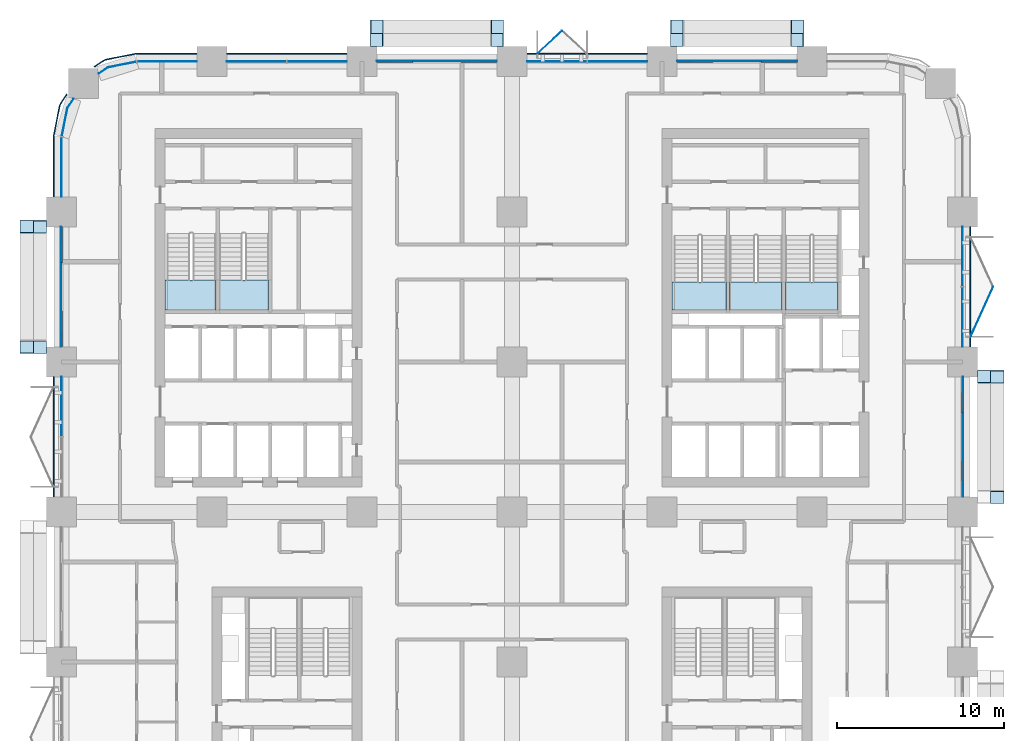
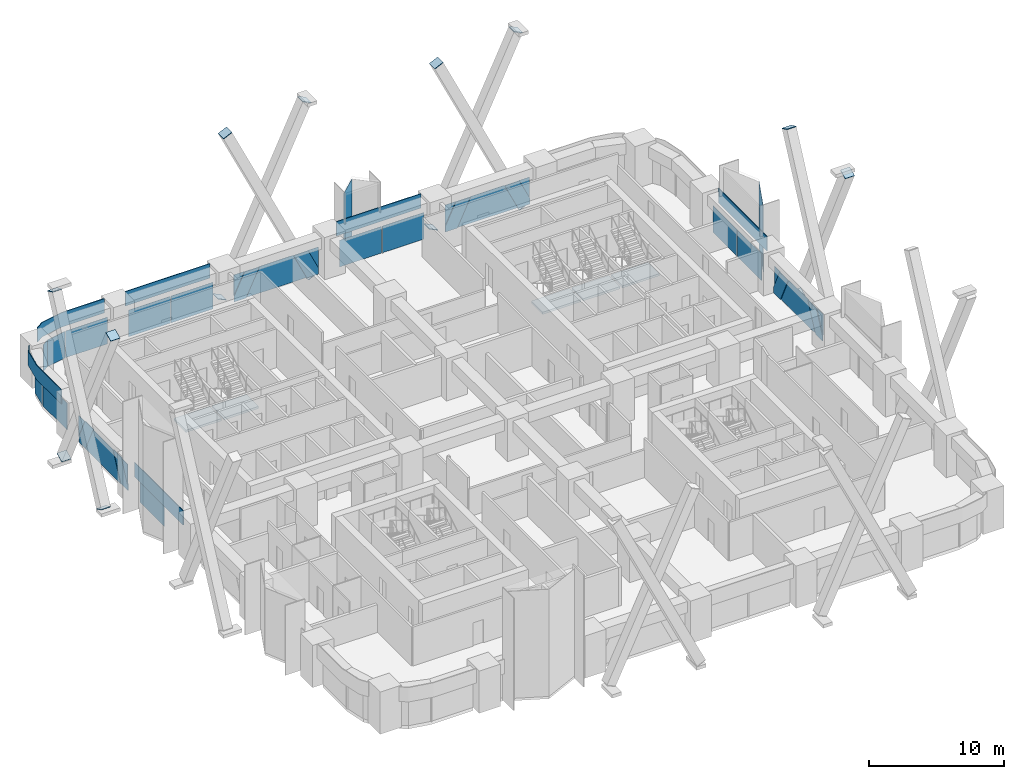
# One storey, part 12 of 23: 54 plates, 5 slabs, 15 elements without a shape of their own.
"""IFC4 building model written with IfcOpenShell, lengths in metres."""

from ifc_helpers import new_model, si_unit, direction, frame, origin, origin_2d, place, context, subcontext, project, spatial, polyline, rectangle, outline, extrude, material, layer, layer_set, type_object, element, aggregate, save


model = new_model("IFC4")

# Units and contexts
model_context = context("Model", 3, precision=1e-05, world=origin(), true_north=direction((0.0, 1.0)))
body_context = subcontext(model_context, "Body", "Model", "MODEL_VIEW")
ifc_project = project(units=[si_unit("LENGTHUNIT", "METRE"), si_unit("AREAUNIT", "SQUARE_METRE"), si_unit("VOLUMEUNIT", "CUBIC_METRE"), si_unit("PLANEANGLEUNIT", "RADIAN"), si_unit("MASSUNIT", "GRAM", prefix="KILO")], contexts=[model_context])

# Site, building, storey
site_placement = place(None, origin())
site = spatial("IfcSite", under=ifc_project, at=site_placement, CompositionType="ELEMENT")
building_placement = place(site_placement, origin())
building = spatial("IfcBuilding", under=site, at=building_placement, Name="Tessera Arch", CompositionType="ELEMENT")
storey_placement = place(building_placement, frame((0.0, 0.0, 46.199951171875)))
storey = spatial("IfcBuildingStorey", under=building, at=storey_placement, Name="L09", CompositionType="ELEMENT", Elevation=46.199951171875)

# Curtain wall, plates
ifc_material_1 = material(Name="CW1 curtain wall")
curtain_wall_type_1 = type_object("IfcCurtainWallType", Name="CW1 curtain wall", PredefinedType="NOTDEFINED", material=ifc_material_1)
curtain_wall_1_placement = place(storey_placement, origin())
curtain_wall_1 = element("IfcCurtainWall", 1, at=curtain_wall_1_placement, inside=storey, type_object=curtain_wall_type_1, Name="CW1 curtain wall E54.0/4 L09", PredefinedType="NOTDEFINED")
ifc_material_2 = material(Name="Clear low-e glass", Category="glass")
ifc_material_3 = material(Name="Clear low-e glass", Category="glass")
ifc_layer_1 = layer(ifc_material_3, 0.028076171875)
ifc_layer_set_1 = layer_set([ifc_layer_1], Name="CW1 glass panel")
plate_type_1 = type_object("IfcPlateType", Name="CW1 glass panel", PredefinedType="CURTAIN_PANEL", material=ifc_layer_set_1)
plate_1_placement = place(storey_placement, frame((54.0, 38.68505859375, 0.0), z_axis=(0.0, 0.0, 1.0), x_axis=(0.0, 1.0, 0.0)))
plate_1 = element("IfcPlate", 2, at=plate_1_placement, type_object=plate_type_1, material=ifc_material_2, Name="CW1 glass panel E54.0/4 1.1.1", PredefinedType="CURTAIN_PANEL", context=body_context, shape_type="SweptSolid", body=[
    extrude(rectangle(XDim=3.570068359375, YDim=0.028076171875, at=origin_2d()), origin(), (0.0, 0.0, 1.0), 2.39990234375),
])
plate_2_placement = place(storey_placement, frame((54.0, 42.31494140625, 0.0), z_axis=(0.0, 0.0, 1.0), x_axis=(0.0, 1.0, 0.0)))
plate_2 = element("IfcPlate", 3, at=plate_2_placement, type_object=plate_type_1, material=ifc_material_2, Name="CW1 glass panel E54.0/4 1.2.1", PredefinedType="CURTAIN_PANEL", context=body_context, shape_type="SweptSolid", body=[
    extrude(rectangle(XDim=3.570068359375, YDim=0.028076171875, at=origin_2d()), origin(), (0.0, 0.0, 1.0), 2.39990234375),
])

curtain_wall_2_placement = place(storey_placement, origin())
curtain_wall_2 = element("IfcCurtainWall", 4, at=curtain_wall_2_placement, inside=storey, type_object=curtain_wall_type_1, Name="CW1 curtain wall N54.0/2 L09", PredefinedType="NOTDEFINED")
plate_3_placement = place(storey_placement, frame((33.31494140625, 54.0, 0.0), z_axis=(0.0, 0.0, 1.0), x_axis=(-1.0, 0.0, 0.0)))
plate_3 = element("IfcPlate", 5, at=plate_3_placement, type_object=plate_type_1, material=ifc_material_2, Name="CW1 glass panel N54.0/2 1.1.1", PredefinedType="CURTAIN_PANEL", context=body_context, shape_type="SweptSolid", body=[
    extrude(rectangle(XDim=3.570068359375, YDim=0.028076171875, at=origin_2d()), origin(), (0.0, 0.0, 1.0), 2.39990234375),
])
plate_4_placement = place(storey_placement, frame((29.68505859375, 54.0, 0.0), z_axis=(0.0, 0.0, 1.0), x_axis=(-1.0, 0.0, 0.0)))
plate_4 = element("IfcPlate", 6, at=plate_4_placement, type_object=plate_type_1, material=ifc_material_2, Name="CW1 glass panel N54.0/2 1.2.1", PredefinedType="CURTAIN_PANEL", context=body_context, shape_type="SweptSolid", body=[
    extrude(rectangle(XDim=3.570068359375, YDim=0.028076171875, at=origin_2d()), origin(), (0.0, 0.0, 1.0), 2.39990234375),
])

curtain_wall_3_placement = place(storey_placement, origin())
curtain_wall_3 = element("IfcCurtainWall", 7, at=curtain_wall_3_placement, inside=storey, type_object=curtain_wall_type_1, Name="CW1 curtain wall N54.0/4 L09", PredefinedType="NOTDEFINED")
plate_5_placement = place(storey_placement, frame((15.31494140625, 54.0, 0.0), z_axis=(0.0, 0.0, 1.0), x_axis=(-1.0, 0.0, 0.0)))
plate_5 = element("IfcPlate", 8, at=plate_5_placement, type_object=plate_type_1, material=ifc_material_2, Name="CW1 glass panel N54.0/4 1.1.1", PredefinedType="CURTAIN_PANEL", context=body_context, shape_type="SweptSolid", body=[
    extrude(rectangle(XDim=3.570068359375, YDim=0.028076171875, at=origin_2d()), origin(), (0.0, 0.0, 1.0), 2.39990234375),
])
plate_6_placement = place(storey_placement, frame((11.68505859375, 54.0, 0.0), z_axis=(0.0, 0.0, 1.0), x_axis=(-1.0, 0.0, 0.0)))
plate_6 = element("IfcPlate", 9, at=plate_6_placement, type_object=plate_type_1, material=ifc_material_2, Name="CW1 glass panel N54.0/4 1.2.1", PredefinedType="CURTAIN_PANEL", context=body_context, shape_type="SweptSolid", body=[
    extrude(rectangle(XDim=3.570068359375, YDim=0.028076171875, at=origin_2d()), origin(), (0.0, 0.0, 1.0), 2.39990234375),
])

# Curtain wall, plate
curtain_wall_4_placement = place(storey_placement, origin())
curtain_wall_4 = element("IfcCurtainWall", 10, at=curtain_wall_4_placement, inside=storey, type_object=curtain_wall_type_1, Name="CW1 curtain wall W0.0/2 L09", PredefinedType="NOTDEFINED")
plate_7_placement = place(storey_placement, frame((0.0, 33.31494140625, 0.0), z_axis=(0.0, 0.0, 1.0), x_axis=(0.0, -1.0, 0.0)))
plate_7 = element("IfcPlate", 11, at=plate_7_placement, type_object=plate_type_1, material=ifc_material_2, Name="CW1 glass panel W0.0/2 1.1.1", PredefinedType="CURTAIN_PANEL", context=body_context, shape_type="SweptSolid", body=[
    extrude(rectangle(XDim=3.570068359375, YDim=0.028076171875, at=origin_2d()), origin(), (0.0, 0.0, 1.0), 2.39990234375),
])

# Plate
ifc_material_4 = material(Name="Pale anodised aluminium panel", Category="aluminium")
ifc_layer_2 = layer(ifc_material_4, 0.06005859375)
ifc_layer_set_2 = layer_set([ifc_layer_2], Name="CW1 spandrel panel")
plate_type_2 = type_object("IfcPlateType", Name="CW1 spandrel panel", PredefinedType="CURTAIN_PANEL", material=ifc_layer_set_2)
plate_8_placement = place(storey_placement, frame((54.47998046875, 40.5, 2.5), z_axis=(0.0, 0.0, 1.0), x_axis=(0.0, 1.0, 0.0)))
plate_8 = element("IfcPlate", 12, at=plate_8_placement, type_object=plate_type_2, Name="CW1 spandrel panel E54.0/4", PredefinedType="CURTAIN_PANEL", context=body_context, shape_type="SweptSolid", body=[
    extrude(rectangle(XDim=7.199951171875, YDim=0.06005859375, at=origin_2d()), origin(), (0.0, 0.0, 1.0), 1.300048828125),
])

aggregate(curtain_wall_1, [plate_1, plate_2, plate_8])

plate_9_placement = place(storey_placement, frame((31.5, 54.47998046875, 2.5), z_axis=(0.0, 0.0, 1.0), x_axis=(-1.0, 0.0, 0.0)))
plate_9 = element("IfcPlate", 13, at=plate_9_placement, type_object=plate_type_2, Name="CW1 spandrel panel N54.0/2", PredefinedType="CURTAIN_PANEL", context=body_context, shape_type="SweptSolid", body=[
    extrude(rectangle(XDim=7.199951171875, YDim=0.06005859375, at=origin_2d()), origin(), (0.0, 0.0, 1.0), 1.300048828125),
])

aggregate(curtain_wall_2, [plate_3, plate_4, plate_9])

plate_10_placement = place(storey_placement, frame((13.5, 54.47998046875, 2.5), z_axis=(0.0, 0.0, 1.0), x_axis=(-1.0, 0.0, 0.0)))
plate_10 = element("IfcPlate", 14, at=plate_10_placement, type_object=plate_type_2, Name="CW1 spandrel panel N54.0/4", PredefinedType="CURTAIN_PANEL", context=body_context, shape_type="SweptSolid", body=[
    extrude(rectangle(XDim=7.199951171875, YDim=0.06005859375, at=origin_2d()), origin(), (0.0, 0.0, 1.0), 1.300048828125),
])

aggregate(curtain_wall_3, [plate_5, plate_6, plate_10])

plate_11_placement = place(storey_placement, frame((-0.47998046875, 31.5, 2.5), z_axis=(0.0, 0.0, 1.0), x_axis=(0.0, -1.0, 0.0)))
plate_11 = element("IfcPlate", 15, at=plate_11_placement, type_object=plate_type_2, Name="CW1 spandrel panel W0.0/2", PredefinedType="CURTAIN_PANEL", context=body_context, shape_type="SweptSolid", body=[
    extrude(rectangle(XDim=7.199951171875, YDim=0.06005859375, at=origin_2d()), origin(), (0.0, 0.0, 1.0), 1.300048828125),
])

aggregate(curtain_wall_4, [plate_7, plate_11])

# Curtain wall, plates
ifc_material_5 = material(Name="CW2 curtain wall")
curtain_wall_type_2 = type_object("IfcCurtainWallType", Name="CW2 curtain wall", PredefinedType="NOTDEFINED", material=ifc_material_5)
curtain_wall_5_placement = place(storey_placement, origin())
curtain_wall_5 = element("IfcCurtainWall", 16, at=curtain_wall_5_placement, inside=storey, type_object=curtain_wall_type_2, Name="CW2 curtain wall N54.0/5 L09", PredefinedType="NOTDEFINED")
ifc_material_6 = material(Name="Clear low-e glass", Category="glass")
ifc_layer_3 = layer(ifc_material_6, 0.028076171875)
ifc_layer_set_3 = layer_set([ifc_layer_3], Name="CW2 glass panel")
plate_type_3 = type_object("IfcPlateType", Name="CW2 glass panel", PredefinedType="CURTAIN_PANEL", material=ifc_layer_set_3)
plate_12_placement = place(storey_placement, frame((6.320068359375, 54.0, 0.0), z_axis=(0.0, 0.0, 1.0), x_axis=(-1.0, 0.0, 0.0)))
plate_12 = element("IfcPlate", 17, at=plate_12_placement, type_object=plate_type_3, material=ifc_material_2, Name="CW2 glass panel N54.0/5 1.1", PredefinedType="CURTAIN_PANEL", context=body_context, shape_type="SweptSolid", body=[
    extrude(rectangle(XDim=3.56005859375, YDim=0.028076171875, at=origin_2d()), origin(), (0.0, 0.0, 1.0), 2.39990234375),
])
plate_13_placement = place(storey_placement, origin())
plate_13 = element("IfcPlate", 18, at=plate_13_placement, type_object=plate_type_3, material=ifc_material_2, Name="CW2 curved glass panel N54.0/5 2.1", PredefinedType="CURTAIN_PANEL", context=body_context, shape_type="SweptSolid", body=[
    extrude(outline(polyline([(2.783447265625, 53.644287109375), (4.46337890625, 53.978515625), (4.4580078125, 54.005859375), (2.7724609375, 53.670654296875), (2.210205078125, 53.294921875), (2.225830078125, 53.271728515625), (2.783447265625, 53.644287109375)])), origin(), (0.0, 0.0, 1.0), 2.400146484375),
])

curtain_wall_6_placement = place(storey_placement, origin())
curtain_wall_6 = element("IfcCurtainWall", 19, at=curtain_wall_6_placement, inside=storey, type_object=curtain_wall_type_2, Name="CW2 curtain wall W0.0/0 L09", PredefinedType="NOTDEFINED")
plate_14_placement = place(storey_placement, frame((0.0, 47.679931640625, 0.0), z_axis=(0.0, 0.0, 1.0), x_axis=(0.0, -1.0, 0.0)))
plate_14 = element("IfcPlate", 20, at=plate_14_placement, type_object=plate_type_3, material=ifc_material_2, Name="CW2 glass panel W0.0/0 1.1", PredefinedType="CURTAIN_PANEL", context=body_context, shape_type="SweptSolid", body=[
    extrude(rectangle(XDim=3.56005859375, YDim=0.028076171875, at=origin_2d()), origin(), (0.0, 0.0, 1.0), 2.39990234375),
])
plate_15_placement = place(storey_placement, origin())
plate_15 = element("IfcPlate", 21, at=plate_15_placement, type_object=plate_type_3, material=ifc_material_2, Name="CW2 curved glass panel W0.0/0 2.1", PredefinedType="CURTAIN_PANEL", context=body_context, shape_type="SweptSolid", body=[
    extrude(outline(polyline([(0.355712890625, 51.216552734375), (0.728271484375, 51.774169921875), (0.705078125, 51.789794921875), (0.329345703125, 51.2275390625), (-0.005859375, 49.5419921875), (0.021484375, 49.53662109375), (0.355712890625, 51.216552734375)])), origin(), (0.0, 0.0, 1.0), 2.400146484375),
])

# Plate
ifc_material_7 = material(Name="Pale anodised aluminium panel", Category="aluminium")
ifc_layer_4 = layer(ifc_material_7, 0.06005859375)
ifc_layer_set_4 = layer_set([ifc_layer_4], Name="CW2 spandrel panel")
plate_type_4 = type_object("IfcPlateType", Name="CW2 spandrel panel", PredefinedType="CURTAIN_PANEL", material=ifc_layer_set_4)
plate_16_placement = place(storey_placement, frame((0.0, 0.0, 2.5)))
plate_16 = element("IfcPlate", 22, at=plate_16_placement, type_object=plate_type_4, Name="CW2 spandrel panel N54.0/5", PredefinedType="CURTAIN_PANEL", context=body_context, shape_type="SweptSolid", body=[
    extrude(outline(polyline([(4.500732421875, 54.449951171875), (8.10009765625, 54.449951171875), (8.10009765625, 54.510009765625), (4.499267578125, 54.510009765625), (4.449951171875, 54.507568359375), (4.401123046875, 54.500244140625), (2.677734375, 54.157470703125), (2.6298828125, 54.1455078125), (2.582763671875, 54.128662109375), (2.537353515625, 54.107177734375), (2.4951171875, 54.08203125), (1.9345703125, 53.707275390625), (1.968017578125, 53.657470703125), (2.52734375, 54.03125), (2.565673828125, 54.05419921875), (2.605712890625, 54.0732421875), (2.647216796875, 54.088134765625), (2.69091796875, 54.09912109375), (4.411376953125, 54.441162109375), (4.455810546875, 54.44775390625), (4.500732421875, 54.449951171875)])), origin(), (0.0, 0.0, 1.0), 1.300048828125),
])

aggregate(curtain_wall_5, [plate_12, plate_13, plate_16])

plate_17_placement = place(storey_placement, frame((0.0, 0.0, 2.5)))
plate_17 = element("IfcPlate", 23, at=plate_17_placement, type_object=plate_type_4, Name="CW2 spandrel panel W0.0/0", PredefinedType="CURTAIN_PANEL", context=body_context, shape_type="SweptSolid", body=[
    extrude(outline(polyline([(-0.03125, 51.47265625), (0.342529296875, 52.031982421875), (0.292724609375, 52.0654296875), (-0.08203125, 51.5048828125), (-0.107177734375, 51.462646484375), (-0.128662109375, 51.417236328125), (-0.1455078125, 51.3701171875), (-0.157470703125, 51.322265625), (-0.500244140625, 49.598876953125), (-0.507568359375, 49.550048828125), (-0.510009765625, 49.500732421875), (-0.510009765625, 45.89990234375), (-0.449951171875, 45.89990234375), (-0.449951171875, 49.499267578125), (-0.44775390625, 49.544189453125), (-0.441162109375, 49.588623046875), (-0.09912109375, 51.30908203125), (-0.088134765625, 51.352783203125), (-0.0732421875, 51.394287109375), (-0.05419921875, 51.434326171875), (-0.03125, 51.47265625)])), origin(), (0.0, 0.0, 1.0), 1.300048828125),
])

aggregate(curtain_wall_6, [plate_14, plate_15, plate_17])

# Curtain wall, plates
ifc_material_8 = material(Name="CW3 curtain wall")
curtain_wall_type_3 = type_object("IfcCurtainWallType", Name="CW3 curtain wall", PredefinedType="NOTDEFINED", material=ifc_material_8)
curtain_wall_7_placement = place(storey_placement, origin())
curtain_wall_7 = element("IfcCurtainWall", 24, at=curtain_wall_7_placement, inside=storey, type_object=curtain_wall_type_3, Name="CW3 curtain wall E54.0/3 L09", PredefinedType="NOTDEFINED")
ifc_material_9 = material(Name="Pale anodised aluminium panel", Category="aluminium")
ifc_layer_5 = layer(ifc_material_9, 0.06005859375)
ifc_layer_set_5 = layer_set([ifc_layer_5], Name="CW3 diagonal panel")
plate_type_5 = type_object("IfcPlateType", Name="CW3 diagonal panel", PredefinedType="CURTAIN_PANEL", material=ifc_layer_set_5)
plate_18_placement = place(storey_placement, frame((54.030029296875, 35.10009765625, 0.0), z_axis=(1.0, 0.0, 0.0), x_axis=(0.0, 0.0, 1.0)))
plate_18 = element("IfcPlate", 25, at=plate_18_placement, type_object=plate_type_5, Name="CW3 diagonal panel E54.0/3 1", PredefinedType="CURTAIN_PANEL", context=body_context, shape_type="SweptSolid", body=[
    extrude(outline(polyline([(0.0, 0.0), (0.52685546875, 0.0), (2.400146484375, 0.887451171875), (2.400146484375, 2.144287109375), (0.0, 1.007568359375), (0.0, 0.0)])), origin(), (0.0, 0.0, -1.0), 0.06005859375),
])
plate_19_placement = place(storey_placement, frame((54.030029296875, 30.044189453125, 2.400146484375), z_axis=(1.0, 0.0, 0.0), x_axis=(0.0, -1.0, 0.0)))
plate_19 = element("IfcPlate", 26, at=plate_19_placement, type_object=plate_type_5, Name="CW3 diagonal panel E54.0/3 2", PredefinedType="CURTAIN_PANEL", context=body_context, shape_type="SweptSolid", body=[
    extrude(outline(polyline([(0.0, 0.0), (1.2568359375, 0.0), (2.144287109375, 1.873291015625), (2.144287109375, 2.400146484375), (1.13671875, 2.400146484375), (0.0, 0.0)])), origin(), (0.0, 0.0, -1.0), 0.06005859375),
])

curtain_wall_8_placement = place(storey_placement, origin())
curtain_wall_8 = element("IfcCurtainWall", 27, at=curtain_wall_8_placement, inside=storey, type_object=curtain_wall_type_3, Name="CW3 curtain wall N54.0/1 L09", PredefinedType="NOTDEFINED")
plate_20_placement = place(storey_placement, frame((36.89990234375, 54.030029296875, 0.0), z_axis=(0.0, 1.0, 0.0), x_axis=(0.0, 0.0, 1.0)))
plate_20 = element("IfcPlate", 28, at=plate_20_placement, type_object=plate_type_5, Name="CW3 diagonal panel N54.0/1 1", PredefinedType="CURTAIN_PANEL", context=body_context, shape_type="SweptSolid", body=[
    extrude(outline(polyline([(0.0, 0.0), (0.52685546875, 0.0), (2.400146484375, 0.887451171875), (2.400146484375, 2.144287109375), (0.0, 1.007568359375), (0.0, 0.0)])), origin(), (0.0, 0.0, -1.0), 0.06005859375),
])
plate_21_placement = place(storey_placement, frame((41.955810546875, 54.030029296875, 2.400146484375), z_axis=(0.0, 1.0, 0.0), x_axis=(1.0, 0.0, 0.0)))
plate_21 = element("IfcPlate", 29, at=plate_21_placement, type_object=plate_type_5, Name="CW3 diagonal panel N54.0/1 2", PredefinedType="CURTAIN_PANEL", context=body_context, shape_type="SweptSolid", body=[
    extrude(outline(polyline([(0.0, 0.0), (1.2568359375, 0.0), (2.144287109375, 1.873291015625), (2.144287109375, 2.400146484375), (1.13671875, 2.400146484375), (0.0, 0.0)])), origin(), (0.0, 0.0, -1.0), 0.06005859375),
])

curtain_wall_9_placement = place(storey_placement, origin())
curtain_wall_9 = element("IfcCurtainWall", 30, at=curtain_wall_9_placement, inside=storey, type_object=curtain_wall_type_3, Name="CW3 curtain wall N54.0/3 L09", PredefinedType="NOTDEFINED")
plate_22_placement = place(storey_placement, frame((18.89990234375, 54.030029296875, 0.0), z_axis=(0.0, 1.0, 0.0), x_axis=(0.0, 0.0, 1.0)))
plate_22 = element("IfcPlate", 31, at=plate_22_placement, type_object=plate_type_5, Name="CW3 diagonal panel N54.0/3 1", PredefinedType="CURTAIN_PANEL", context=body_context, shape_type="SweptSolid", body=[
    extrude(outline(polyline([(0.0, 0.0), (0.52685546875, 0.0), (2.400146484375, 0.887451171875), (2.400146484375, 2.144287109375), (0.0, 1.007568359375), (0.0, 0.0)])), origin(), (0.0, 0.0, -1.0), 0.06005859375),
])
plate_23_placement = place(storey_placement, frame((23.955810546875, 54.030029296875, 2.400146484375), z_axis=(0.0, 1.0, 0.0), x_axis=(1.0, 0.0, 0.0)))
plate_23 = element("IfcPlate", 32, at=plate_23_placement, type_object=plate_type_5, Name="CW3 diagonal panel N54.0/3 2", PredefinedType="CURTAIN_PANEL", context=body_context, shape_type="SweptSolid", body=[
    extrude(outline(polyline([(0.0, 0.0), (1.2568359375, 0.0), (2.144287109375, 1.873291015625), (2.144287109375, 2.400146484375), (1.13671875, 2.400146484375), (0.0, 0.0)])), origin(), (0.0, 0.0, -1.0), 0.06005859375),
])

curtain_wall_10_placement = place(storey_placement, origin())
curtain_wall_10 = element("IfcCurtainWall", 33, at=curtain_wall_10_placement, inside=storey, type_object=curtain_wall_type_3, Name="CW3 curtain wall W0.0/1 L09", PredefinedType="NOTDEFINED")
plate_24_placement = place(storey_placement, frame((-0.030029296875, 36.89990234375, 0.0), z_axis=(-1.0, 0.0, 0.0), x_axis=(0.0, 0.0, 1.0)))
plate_24 = element("IfcPlate", 34, at=plate_24_placement, type_object=plate_type_5, Name="CW3 diagonal panel W0.0/1 1", PredefinedType="CURTAIN_PANEL", context=body_context, shape_type="SweptSolid", body=[
    extrude(outline(polyline([(0.0, 0.0), (0.52685546875, 0.0), (2.400146484375, 0.887451171875), (2.400146484375, 2.144287109375), (0.0, 1.007568359375), (0.0, 0.0)])), origin(), (0.0, 0.0, -1.0), 0.06005859375),
])
plate_25_placement = place(storey_placement, frame((-0.030029296875, 41.955810546875, 2.400146484375), z_axis=(-1.0, 0.0, 0.0), x_axis=(0.0, 1.0, 0.0)))
plate_25 = element("IfcPlate", 35, at=plate_25_placement, type_object=plate_type_5, Name="CW3 diagonal panel W0.0/1 2", PredefinedType="CURTAIN_PANEL", context=body_context, shape_type="SweptSolid", body=[
    extrude(outline(polyline([(0.0, 0.0), (1.2568359375, 0.0), (2.144287109375, 1.873291015625), (2.144287109375, 2.400146484375), (1.13671875, 2.400146484375), (0.0, 0.0)])), origin(), (0.0, 0.0, -1.0), 0.06005859375),
])

# Plate
ifc_material_10 = material(Name="Clear low-e glass", Category="glass")
ifc_layer_6 = layer(ifc_material_10, 0.028076171875)
ifc_layer_set_6 = layer_set([ifc_layer_6], Name="CW3 glass panel")
plate_type_6 = type_object("IfcPlateType", Name="CW3 glass panel", PredefinedType="CURTAIN_PANEL", material=ifc_layer_set_6)
plate_26_placement = place(storey_placement, frame((54.05810546875, 27.89990234375, 2.400146484375), z_axis=(1.0, 0.0, 0.0), x_axis=(0.0, 0.0, -1.0)))
plate_26 = element("IfcPlate", 36, at=plate_26_placement, type_object=plate_type_6, material=ifc_material_2, Name="CW3 triangulated glass panel E54.0/3 1", PredefinedType="CURTAIN_PANEL", context=body_context, shape_type="SweptSolid", body=[
    extrude(outline(polyline([(0.0, 0.0), (1.873291015625, 0.0), (0.0, 0.887451171875), (0.0, 0.0)])), origin(), (0.0, 0.0, -1.0), 0.028076171875),
])

plate_27_placement = place(storey_placement, frame((54.05810546875, 32.955810546875, 2.400146484375), z_axis=(1.0, 0.0, 0.0), x_axis=(0.0, -1.0, 0.0)))
plate_27 = element("IfcPlate", 37, at=plate_27_placement, type_object=plate_type_6, material=ifc_material_2, Name="CW3 triangulated glass panel E54.0/3 2", PredefinedType="CURTAIN_PANEL", context=body_context, shape_type="SweptSolid", body=[
    extrude(outline(polyline([(0.0, 0.0), (2.91162109375, 0.0), (4.04833984375, 2.400146484375), (-1.13671875, 2.400146484375), (0.0, 0.0)])), origin(), (0.0, 0.0, -1.0), 0.028076171875),
])

plate_28_placement = place(storey_placement, frame((54.05810546875, 35.10009765625, 2.400146484375), z_axis=(1.0, 0.0, 0.0), x_axis=(0.0, -1.0, 0.0)))
plate_28 = element("IfcPlate", 38, at=plate_28_placement, type_object=plate_type_6, material=ifc_material_2, Name="CW3 triangulated glass panel E54.0/3 3", PredefinedType="CURTAIN_PANEL", context=body_context, shape_type="SweptSolid", body=[
    extrude(outline(polyline([(0.0, 0.0), (0.887451171875, 0.0), (0.0, 1.873291015625), (0.0, 0.0)])), origin(), (0.0, 0.0, -1.0), 0.028076171875),
])

aggregate(curtain_wall_7, [plate_26, plate_27, plate_28, plate_18, plate_19])

plate_29_placement = place(storey_placement, frame((44.10009765625, 54.05810546875, 2.400146484375), z_axis=(0.0, 1.0, 0.0), x_axis=(0.0, 0.0, -1.0)))
plate_29 = element("IfcPlate", 39, at=plate_29_placement, type_object=plate_type_6, material=ifc_material_2, Name="CW3 triangulated glass panel N54.0/1 1", PredefinedType="CURTAIN_PANEL", context=body_context, shape_type="SweptSolid", body=[
    extrude(outline(polyline([(0.0, 0.0), (1.873291015625, 0.0), (0.0, 0.887451171875), (0.0, 0.0)])), origin(), (0.0, 0.0, -1.0), 0.028076171875),
])

plate_30_placement = place(storey_placement, frame((39.044189453125, 54.05810546875, 2.400146484375), z_axis=(0.0, 1.0, 0.0), x_axis=(1.0, 0.0, 0.0)))
plate_30 = element("IfcPlate", 40, at=plate_30_placement, type_object=plate_type_6, material=ifc_material_2, Name="CW3 triangulated glass panel N54.0/1 2", PredefinedType="CURTAIN_PANEL", context=body_context, shape_type="SweptSolid", body=[
    extrude(outline(polyline([(0.0, 0.0), (2.91162109375, 0.0), (4.04833984375, 2.400146484375), (-1.13671875, 2.400146484375), (0.0, 0.0)])), origin(), (0.0, 0.0, -1.0), 0.028076171875),
])

plate_31_placement = place(storey_placement, frame((36.89990234375, 54.05810546875, 2.400146484375), z_axis=(0.0, 1.0, 0.0), x_axis=(1.0, 0.0, 0.0)))
plate_31 = element("IfcPlate", 41, at=plate_31_placement, type_object=plate_type_6, material=ifc_material_2, Name="CW3 triangulated glass panel N54.0/1 3", PredefinedType="CURTAIN_PANEL", context=body_context, shape_type="SweptSolid", body=[
    extrude(outline(polyline([(0.0, 0.0), (0.887451171875, 0.0), (0.0, 1.873291015625), (0.0, 0.0)])), origin(), (0.0, 0.0, -1.0), 0.028076171875),
])

aggregate(curtain_wall_8, [plate_29, plate_30, plate_31, plate_20, plate_21])

plate_32_placement = place(storey_placement, frame((26.10009765625, 54.05810546875, 2.400146484375), z_axis=(0.0, 1.0, 0.0), x_axis=(0.0, 0.0, -1.0)))
plate_32 = element("IfcPlate", 42, at=plate_32_placement, type_object=plate_type_6, material=ifc_material_2, Name="CW3 triangulated glass panel N54.0/3 1", PredefinedType="CURTAIN_PANEL", context=body_context, shape_type="SweptSolid", body=[
    extrude(outline(polyline([(0.0, 0.0), (1.873291015625, 0.0), (0.0, 0.887451171875), (0.0, 0.0)])), origin(), (0.0, 0.0, -1.0), 0.028076171875),
])

plate_33_placement = place(storey_placement, frame((21.044189453125, 54.05810546875, 2.400146484375), z_axis=(0.0, 1.0, 0.0), x_axis=(1.0, 0.0, 0.0)))
plate_33 = element("IfcPlate", 43, at=plate_33_placement, type_object=plate_type_6, material=ifc_material_2, Name="CW3 triangulated glass panel N54.0/3 2", PredefinedType="CURTAIN_PANEL", context=body_context, shape_type="SweptSolid", body=[
    extrude(outline(polyline([(0.0, 0.0), (2.91162109375, 0.0), (4.04833984375, 2.400146484375), (-1.13671875, 2.400146484375), (0.0, 0.0)])), origin(), (0.0, 0.0, -1.0), 0.028076171875),
])

plate_34_placement = place(storey_placement, frame((18.89990234375, 54.05810546875, 2.400146484375), z_axis=(0.0, 1.0, 0.0), x_axis=(1.0, 0.0, 0.0)))
plate_34 = element("IfcPlate", 44, at=plate_34_placement, type_object=plate_type_6, material=ifc_material_2, Name="CW3 triangulated glass panel N54.0/3 3", PredefinedType="CURTAIN_PANEL", context=body_context, shape_type="SweptSolid", body=[
    extrude(outline(polyline([(0.0, 0.0), (0.887451171875, 0.0), (0.0, 1.873291015625), (0.0, 0.0)])), origin(), (0.0, 0.0, -1.0), 0.028076171875),
])

aggregate(curtain_wall_9, [plate_32, plate_33, plate_34, plate_22, plate_23])

plate_35_placement = place(storey_placement, frame((-0.05810546875, 44.10009765625, 2.400146484375), z_axis=(-1.0, 0.0, 0.0), x_axis=(0.0, 0.0, -1.0)))
plate_35 = element("IfcPlate", 45, at=plate_35_placement, type_object=plate_type_6, material=ifc_material_2, Name="CW3 triangulated glass panel W0.0/1 1", PredefinedType="CURTAIN_PANEL", context=body_context, shape_type="SweptSolid", body=[
    extrude(outline(polyline([(0.0, 0.0), (1.873291015625, 0.0), (0.0, 0.887451171875), (0.0, 0.0)])), origin(), (0.0, 0.0, -1.0), 0.028076171875),
])

plate_36_placement = place(storey_placement, frame((-0.05810546875, 39.044189453125, 2.400146484375), z_axis=(-1.0, 0.0, 0.0), x_axis=(0.0, 1.0, 0.0)))
plate_36 = element("IfcPlate", 46, at=plate_36_placement, type_object=plate_type_6, material=ifc_material_2, Name="CW3 triangulated glass panel W0.0/1 2", PredefinedType="CURTAIN_PANEL", context=body_context, shape_type="SweptSolid", body=[
    extrude(outline(polyline([(0.0, 0.0), (2.91162109375, 0.0), (4.04833984375, 2.400146484375), (-1.13671875, 2.400146484375), (0.0, 0.0)])), origin(), (0.0, 0.0, -1.0), 0.028076171875),
])

plate_37_placement = place(storey_placement, frame((-0.05810546875, 36.89990234375, 2.400146484375), z_axis=(-1.0, 0.0, 0.0), x_axis=(0.0, 1.0, 0.0)))
plate_37 = element("IfcPlate", 47, at=plate_37_placement, type_object=plate_type_6, material=ifc_material_2, Name="CW3 triangulated glass panel W0.0/1 3", PredefinedType="CURTAIN_PANEL", context=body_context, shape_type="SweptSolid", body=[
    extrude(outline(polyline([(0.0, 0.0), (0.887451171875, 0.0), (0.0, 1.873291015625), (0.0, 0.0)])), origin(), (0.0, 0.0, -1.0), 0.028076171875),
])

aggregate(curtain_wall_10, [plate_35, plate_36, plate_37, plate_24, plate_25])

# Plates
ifc_material_11 = material(Name="Steel A572 Gr50", Category="steel")
ifc_layer_7 = layer(ifc_material_11, 0.050048828125)
ifc_layer_set_7 = layer_set([ifc_layer_7], Name="End plate BOX 800x800x60")
plate_type_7 = type_object("IfcPlateType", Name="End plate BOX 800x800x60", PredefinedType="SHEET", material=ifc_layer_set_7)
for number, where, z_axis, x_axis, name in (
    (48, (55.300048828125, 35.10009765625, 14.400146484375), (0.0, 0.425561453383, 0.904929527308), (-1.0, 0.0, 0.0), "End plate BOX 800x800x60 E54.0-3 A2 L09"),
    (49, (56.10009765625, 35.121337890625, -0.84521484375), (0.0, -0.425561453383, 0.904929527308), (1.0, 0.0, 0.0), "End plate BOX 800x800x60 E54.0-3 B1 L09"),
    (50, (56.10009765625, 27.89990234375, 14.400146484375), (0.0, -0.425561453383, 0.904929527308), (1.0, 0.0, 0.0), "End plate BOX 800x800x60 E54.0-3 B2 L09"),
    (51, (44.121337890625, 55.300048828125, -0.84521484375), (-0.425561453383, 0.0, 0.904929527308), (0.0, -1.0, 0.0), "End plate BOX 800x800x60 N54.0-1 A1 L09"),
    (52, (36.89990234375, 55.300048828125, 14.400146484375), (-0.425561453383, 0.0, 0.904929527308), (0.0, -1.0, 0.0), "End plate BOX 800x800x60 N54.0-1 A2 L09"),
    (53, (36.878662109375, 56.10009765625, -0.84521484375), (0.425561453383, 0.0, 0.904929527308), (0.0, 1.0, 0.0), "End plate BOX 800x800x60 N54.0-1 B1 L09"),
    (54, (44.10009765625, 56.10009765625, 14.400146484375), (0.425561453383, 0.0, 0.904929527308), (0.0, 1.0, 0.0), "End plate BOX 800x800x60 N54.0-1 B2 L09"),
    (55, (26.121337890625, 55.300048828125, -0.84521484375), (-0.425561453383, 0.0, 0.904929527308), (0.0, -1.0, 0.0), "End plate BOX 800x800x60 N54.0-3 A1 L09"),
    (56, (18.89990234375, 55.300048828125, 14.400146484375), (-0.425561453383, 0.0, 0.904929527308), (0.0, -1.0, 0.0), "End plate BOX 800x800x60 N54.0-3 A2 L09"),
    (57, (18.878662109375, 56.10009765625, -0.84521484375), (0.425561453383, 0.0, 0.904929527308), (0.0, 1.0, 0.0), "End plate BOX 800x800x60 N54.0-3 B1 L09"),
    (58, (26.10009765625, 56.10009765625, 14.400146484375), (0.425561453383, 0.0, 0.904929527308), (0.0, 1.0, 0.0), "End plate BOX 800x800x60 N54.0-3 B2 L09"),
    (59, (-1.300048828125, 44.121337890625, -0.84521484375), (0.0, -0.425561453383, 0.904929527308), (1.0, 0.0, 0.0), "End plate BOX 800x800x60 W0.0-1 A1 L09"),
    (60, (-1.300048828125, 36.89990234375, 14.400146484375), (0.0, -0.425561453383, 0.904929527308), (1.0, 0.0, 0.0), "End plate BOX 800x800x60 W0.0-1 A2 L09"),
    (61, (-2.10009765625, 36.878662109375, -0.84521484375), (0.0, 0.425561453383, 0.904929527308), (-1.0, 0.0, 0.0), "End plate BOX 800x800x60 W0.0-1 B1 L09"),
    (62, (-2.10009765625, 44.10009765625, 14.400146484375), (0.0, 0.425561453383, 0.904929527308), (-1.0, 0.0, 0.0), "End plate BOX 800x800x60 W0.0-1 B2 L09"),
):
    element("IfcPlate", number, at=place(storey_placement, frame(where, z_axis=z_axis, x_axis=x_axis)), inside=storey, type_object=plate_type_7, Name=name, PredefinedType="SHEET", context=body_context, shape_type="SweptSolid", body=[
        extrude(rectangle(XDim=0.800048828125, YDim=0.800048828125, at=origin_2d()), origin(), (0.0, 0.0, 1.0), 0.0498046875),
    ])

# Stair, slab
ifc_material_12 = material(Name="Concrete C40/50", Category="concrete")
stair_type_1 = type_object("IfcStairType", Name="Dogleg stair 1520", PredefinedType="HALF_TURN_STAIR", material=ifc_material_12)
stair_1_placement = place(storey_placement, origin())
stair_1 = element("IfcStair", 63, at=stair_1_placement, inside=storey, type_object=stair_type_1, Name="L09 S1a", PredefinedType="HALF_TURN_STAIR")
ifc_material_13 = material(Name="Concrete C40/50", Category="concrete")
ifc_layer_8 = layer(ifc_material_13, 0.300048828125)
ifc_layer_set_8 = layer_set([ifc_layer_8], Name="Stair landing 300")
slab_type = type_object("IfcSlabType", Name="Stair landing 300", PredefinedType="LANDING", material=ifc_layer_set_8)
slab_1_placement = place(storey_placement, frame((0.0, 0.0, 1.699951171875)))
slab_1 = element("IfcSlab", 64, at=slab_1_placement, type_object=slab_type, Name="S1a landing 1", PredefinedType="LANDING", context=body_context, shape_type="SweptSolid", body=[
    extrude(outline(polyline([(36.60009765625, 40.780029296875), (36.60009765625, 39.10009765625), (39.85009765625, 39.10009765625), (39.85009765625, 40.780029296875), (36.60009765625, 40.780029296875)])), origin(), (0.0, 0.0, 1.0), 0.2001953125),
])
aggregate(stair_1, [slab_1])

stair_2_placement = place(storey_placement, origin())
stair_2 = element("IfcStair", 65, at=stair_2_placement, inside=storey, type_object=stair_type_1, Name="L09 S1b", PredefinedType="HALF_TURN_STAIR")
slab_2_placement = place(storey_placement, frame((0.0, 0.0, 1.699951171875)))
slab_2 = element("IfcSlab", 66, at=slab_2_placement, type_object=slab_type, Name="S1b landing 1", PredefinedType="LANDING", context=body_context, shape_type="SweptSolid", body=[
    extrude(outline(polyline([(40.050048828125, 40.780029296875), (40.050048828125, 39.10009765625), (43.199951171875, 39.10009765625), (43.199951171875, 40.780029296875), (40.050048828125, 40.780029296875)])), origin(), (0.0, 0.0, 1.0), 0.2001953125),
])
aggregate(stair_2, [slab_2])

stair_3_placement = place(storey_placement, origin())
stair_3 = element("IfcStair", 67, at=stair_3_placement, inside=storey, type_object=stair_type_1, Name="L09 S1c", PredefinedType="HALF_TURN_STAIR")
slab_3_placement = place(storey_placement, frame((0.0, 0.0, 1.699951171875)))
slab_3 = element("IfcSlab", 68, at=slab_3_placement, type_object=slab_type, Name="S1c landing 1", PredefinedType="LANDING", context=body_context, shape_type="SweptSolid", body=[
    extrude(outline(polyline([(43.39990234375, 40.780029296875), (43.39990234375, 39.10009765625), (46.550048828125, 39.10009765625), (46.550048828125, 40.780029296875), (43.39990234375, 40.780029296875)])), origin(), (0.0, 0.0, 1.0), 0.2001953125),
])
aggregate(stair_3, [slab_3])

ifc_material_14 = material(Name="Concrete C40/50", Category="concrete")
stair_type_2 = type_object("IfcStairType", Name="Dogleg stair 1400", PredefinedType="HALF_TURN_STAIR", material=ifc_material_14)
stair_4_placement = place(storey_placement, origin())
stair_4 = element("IfcStair", 69, at=stair_4_placement, inside=storey, type_object=stair_type_2, Name="L09 S2a", PredefinedType="HALF_TURN_STAIR")
slab_4_placement = place(storey_placement, frame((0.0, 0.0, 1.699951171875)))
slab_4 = element("IfcSlab", 70, at=slab_4_placement, type_object=slab_type, Name="S2a landing 1", PredefinedType="LANDING", context=body_context, shape_type="SweptSolid", body=[
    extrude(outline(polyline([(6.199951171875, 40.89990234375), (6.199951171875, 39.10009765625), (9.25, 39.10009765625), (9.25, 40.89990234375), (6.199951171875, 40.89990234375)])), origin(), (0.0, 0.0, 1.0), 0.2001953125),
])
aggregate(stair_4, [slab_4])

stair_5_placement = place(storey_placement, origin())
stair_5 = element("IfcStair", 71, at=stair_5_placement, inside=storey, type_object=stair_type_2, Name="L09 S2b", PredefinedType="HALF_TURN_STAIR")
slab_5_placement = place(storey_placement, frame((0.0, 0.0, 1.699951171875)))
slab_5 = element("IfcSlab", 72, at=slab_5_placement, type_object=slab_type, Name="S2b landing 1", PredefinedType="LANDING", context=body_context, shape_type="SweptSolid", body=[
    extrude(outline(polyline([(9.449951171875, 40.89990234375), (9.449951171875, 39.10009765625), (12.39990234375, 39.10009765625), (12.39990234375, 40.89990234375), (9.449951171875, 40.89990234375)])), origin(), (0.0, 0.0, 1.0), 0.2001953125),
])
aggregate(stair_5, [slab_5])

# Plates
ifc_material_15 = material(Name="Clear low-e glass", Category="glass")
ifc_layer_9 = layer(ifc_material_15, 0.028076171875)
ifc_layer_set_9 = layer_set([ifc_layer_9], Name="Window box glass facet")
plate_type_8 = type_object("IfcPlateType", Name="Window box glass facet", PredefinedType="SHEET", material=ifc_layer_set_9)
plate_38_placement = place(storey_placement, frame((55.179931640625, 39.02490234375, 0.22021484375), z_axis=(0.0, 0.0, 1.0), x_axis=(0.413570397858, 0.910472144558, 0.0)))
element("IfcPlate", 73, at=plate_38_placement, inside=storey, type_object=plate_type_8, Name="Window box E54.0/4.0 2x2 glass", PredefinedType="SHEET", context=body_context, shape_type="SweptSolid", body=[
    extrude(rectangle(XDim=3.239990234375, YDim=0.028076171875, at=origin_2d()), origin(), (0.0, 0.0, 1.0), 5.860107421875),
])
plate_39_placement = place(storey_placement, frame((29.27490234375, 55.179931640625, 0.22021484375), z_axis=(0.0, 0.0, 1.0), x_axis=(0.734414958885, 0.678700720617, 0.0)))
element("IfcPlate", 74, at=plate_39_placement, inside=storey, type_object=plate_type_8, Name="Window box N54.0/2.1 1x2 glass", PredefinedType="SHEET", context=body_context, shape_type="SweptSolid", body=[
    extrude(rectangle(XDim=1.974365234375, YDim=0.028076171875, at=origin_2d()), origin(), (0.0, 0.0, 1.0), 5.860107421875),
])

save(model, "model.ifc")
